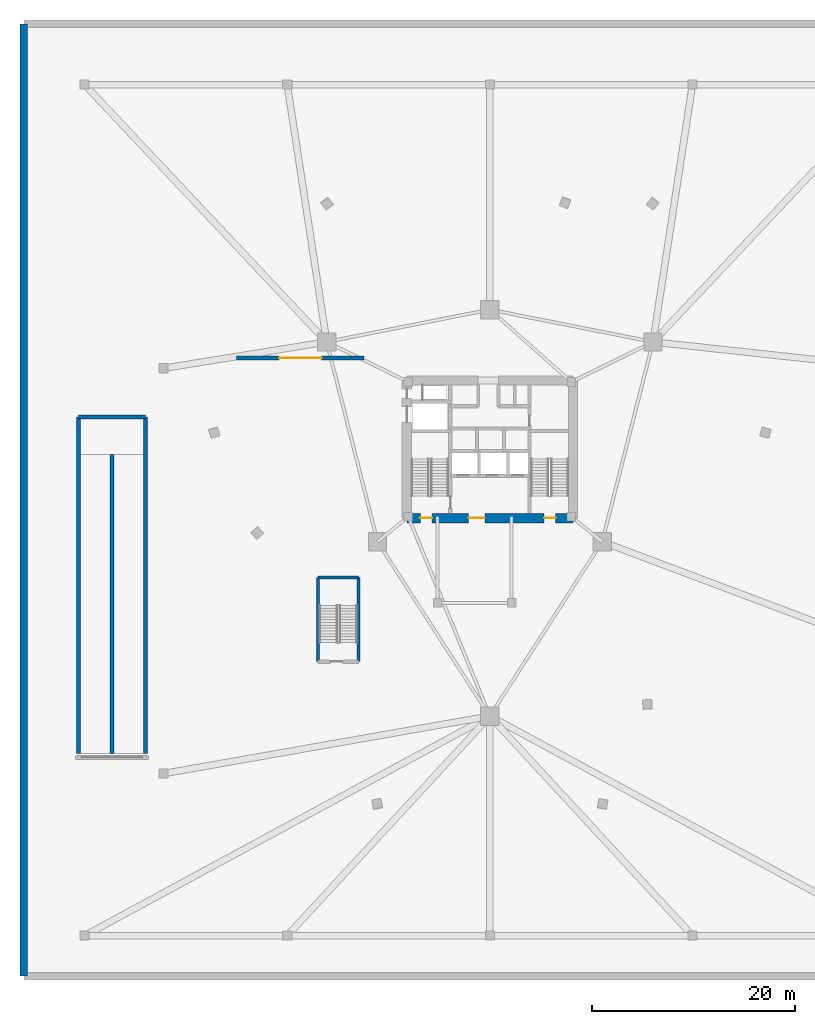
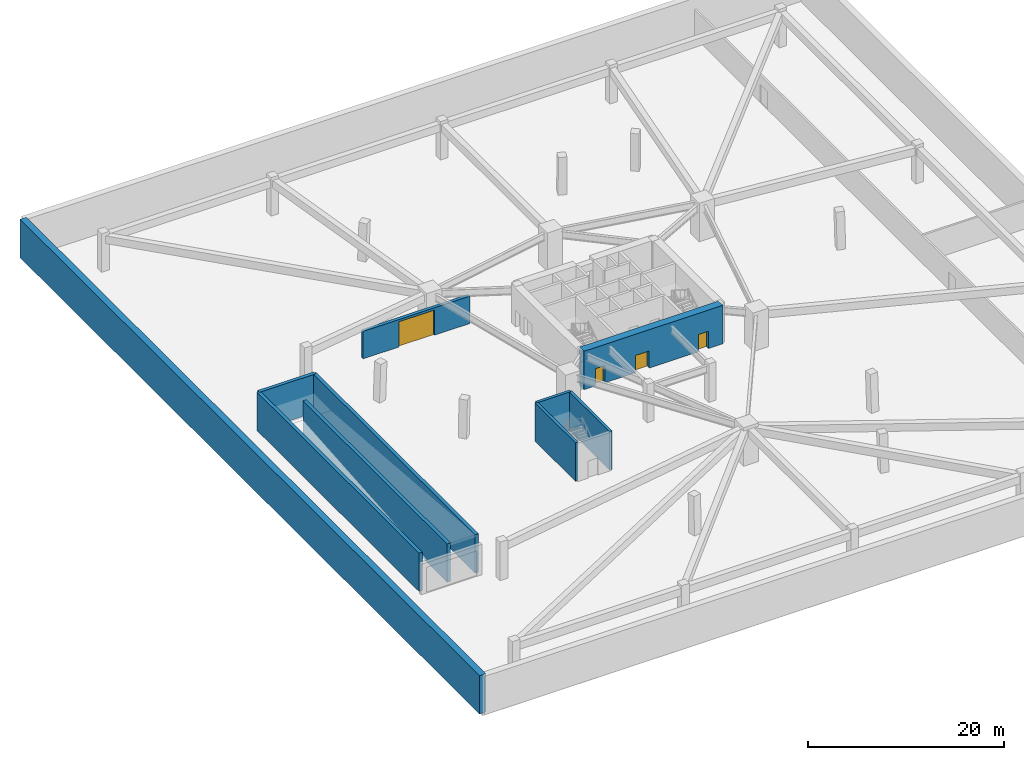
# One storey, part 4 of 7: 10 walls, 4 doors, 4 openings.
"""IFC4 building model written with IfcOpenShell, lengths in metres."""

from ifc_helpers import new_model, si_unit, direction, frame, frame_2d, origin, place, context, subcontext, project, spatial, rectangle, extrude, material, layer, layer_set, type_object, element, fill, save


model = new_model("IFC4")

# Units and contexts
model_context = context("Model", 3, precision=1e-05, world=origin(), true_north=direction((0.0, 1.0)))
body_context = subcontext(model_context, "Body", "Model", "MODEL_VIEW")
ifc_project = project(units=[si_unit("LENGTHUNIT", "METRE"), si_unit("AREAUNIT", "SQUARE_METRE"), si_unit("VOLUMEUNIT", "CUBIC_METRE"), si_unit("PLANEANGLEUNIT", "RADIAN"), si_unit("MASSUNIT", "GRAM", prefix="KILO")], contexts=[model_context])

# Site, building, storey
site_placement = place(None, origin())
site = spatial("IfcSite", under=ifc_project, at=site_placement, CompositionType="ELEMENT")
building_placement = place(site_placement, origin())
building = spatial("IfcBuilding", under=site, at=building_placement, Name="Talyreon Biosciences Tower", CompositionType="ELEMENT")
storey_placement = place(building_placement, frame((0.0, 0.0, -4.800048828125)))
storey = spatial("IfcBuildingStorey", under=building, at=storey_placement, Name="B1", CompositionType="ELEMENT", Elevation=-4.800048828125)

# Walls
ifc_material_1 = material(Name="Concrete C50/60", Category="concrete")
ifc_layer_1 = layer(ifc_material_1, 0.75)
ifc_layer_set_1 = layer_set([ifc_layer_1], Name="Concrete C50/60")
wall_type_1 = type_object("IfcWallType", Name="BasementRetainingWall_750", PredefinedType="SOLIDWALL", material=ifc_layer_set_1)
wall_1_placement = place(storey_placement, frame((20.0, 110.0, 0.0), z_axis=(0.0, 0.0, 1.0), x_axis=(0.0, -1.0, 0.0)))
element("IfcWall", 1, at=wall_1_placement, inside=storey, type_object=wall_type_1, Name="B1 Watertight Retaining Wall W", PredefinedType="SOLIDWALL", context=body_context, shape_type="SweptSolid", body=[
    extrude(rectangle(XDim=94.0, YDim=0.75, at=frame_2d((47.0, 0.0))), origin(), (0.0, 0.0, 1.0), 4.800048828125),
])
ifc_layer_2 = layer(ifc_material_1, 0.320068359375)
ifc_layer_set_2 = layer_set([ifc_layer_2], Name="Concrete C50/60")
wall_type_2 = type_object("IfcWallType", Name="CoreShearWall_320", PredefinedType="SHEAR", material=ifc_layer_set_2)
for number, where, z_axis, x_axis, name in (
    (2, (49.0400390625, 47.0400390625, 0.0), (0.0, 0.0, 1.0), (0.0, 1.0, 0.0), "B1 Stair ST-3 Structural Wall W"),
    (3, (53.0400390625, 47.0400390625, 0.0), (0.0, 0.0, 1.0), (0.0, 1.0, 0.0), "B1 Stair ST-3 Structural Wall E"),
):
    element("IfcWall", number, at=place(storey_placement, frame(where, z_axis=z_axis, x_axis=x_axis)), inside=storey, type_object=wall_type_2, Name=name, PredefinedType="SHEAR", context=body_context, shape_type="SweptSolid", body=[
        extrude(rectangle(XDim=8.320068359375, YDim=0.320068359375, at=frame_2d((4.16015625, 0.0))), origin(), (0.0, 0.0, 1.0), 4.800048828125),
    ])
wall_2_placement = place(storey_placement, frame((49.0400390625, 55.360107421875, 0.0), z_axis=(0.0, 0.0, 1.0), x_axis=(1.0, 0.0, 0.0)))
element("IfcWall", 4, at=wall_2_placement, inside=storey, type_object=wall_type_2, Name="B1 Stair ST-3 Structural Wall N", PredefinedType="SHEAR", context=body_context, shape_type="SweptSolid", body=[
    extrude(rectangle(XDim=4.0, YDim=0.320068359375, at=frame_2d((2.0, 0.0))), origin(), (0.0, 0.0, 1.0), 4.800048828125),
])
ifc_layer_3 = layer(ifc_material_1, 0.39990234375)
ifc_layer_set_3 = layer_set([ifc_layer_3], Name="Concrete C50/60")
wall_type_3 = type_object("IfcWallType", Name="CoreShearWall_400", PredefinedType="SHEAR", material=ifc_layer_set_3)
for number, where, z_axis, x_axis, name in (
    (5, (25.39990234375, 38.0, 0.0), (0.0, 0.0, 1.0), (0.0, 1.0, 0.0), "B1 Vehicle Ramp Bearing Wall W"),
    (6, (32.0, 38.0, 0.0), (0.0, 0.0, 1.0), (0.0, 1.0, 0.0), "B1 Vehicle Ramp Bearing Wall E"),
):
    element("IfcWall", number, at=place(storey_placement, frame(where, z_axis=z_axis, x_axis=x_axis)), inside=storey, type_object=wall_type_3, Name=name, PredefinedType="SHEAR", context=body_context, shape_type="SweptSolid", body=[
        extrude(rectangle(XDim=33.199951171875, YDim=0.39990234375, at=frame_2d((16.60009765625, 0.0))), origin(), (0.0, 0.0, 1.0), 4.800048828125),
    ])
wall_3_placement = place(storey_placement, frame((25.39990234375, 71.199951171875, 0.0), z_axis=(0.0, 0.0, 1.0), x_axis=(1.0, 0.0, 0.0)))
element("IfcWall", 7, at=wall_3_placement, inside=storey, type_object=wall_type_3, Name="B1 Vehicle Ramp Bearing Wall N", PredefinedType="SHEAR", context=body_context, shape_type="SweptSolid", body=[
    extrude(rectangle(XDim=6.60009765625, YDim=0.39990234375, at=frame_2d((3.300048828125, 0.0))), origin(), (0.0, 0.0, 1.0), 4.800048828125),
])
wall_4_placement = place(storey_placement, frame((28.699951171875, 38.0, 0.0), z_axis=(0.0, 0.0, 1.0), x_axis=(0.0, 1.0, 0.0)))
element("IfcWall", 8, at=wall_4_placement, inside=storey, type_object=wall_type_3, Name="B1 Vehicle Ramp Bearing Wall M", PredefinedType="SHEAR", context=body_context, shape_type="SweptSolid", body=[
    extrude(rectangle(XDim=29.5, YDim=0.39990234375, at=frame_2d((14.75, 0.0))), origin(), (0.0, 0.0, 1.0), 4.800048828125),
])

# Wall, openings, doors
ifc_material_2 = material(Name="Concrete C60/75", Category="concrete")
ifc_layer_4 = layer(ifc_material_2, 0.89990234375)
ifc_layer_set_4 = layer_set([ifc_layer_4], Name="Concrete C60/75")
wall_type_4 = type_object("IfcWallType", Name="CoreShearWall_900", PredefinedType="SHEAR", material=ifc_layer_set_4)
wall_5_placement = place(storey_placement, frame((57.800048828125, 61.199951171875, 0.0), z_axis=(0.0, 0.0, 1.0), x_axis=(1.0, 0.0, 0.0)))
wall_5 = element("IfcWall", 9, at=wall_5_placement, inside=storey, type_object=wall_type_4, Name="B1 Core Shear Wall S", PredefinedType="SHEAR", context=body_context, shape_type="SweptSolid", body=[
    extrude(rectangle(XDim=16.39990234375, YDim=0.89990234375, at=frame_2d((8.199951171875, 0.0))), origin(), (0.0, 0.0, 1.0), 4.800048828125),
])
opening_1_placement = place(wall_5_placement, frame((1.35009765625, 0.0, 0.0)))
opening_1 = element("IfcOpeningElement", 10, at=opening_1_placement, cuts=wall_5, Name="Opening DR-B1-ST1", PredefinedType="OPENING", context=body_context, shape_type="SweptSolid", body=[
    extrude(rectangle(XDim=1.14990234375, YDim=2.14990234375, at=frame_2d((0.574951171875, 1.074951171875))), frame((0.0, 0.4599609375, 0.0), z_axis=(0.0, -1.0, 0.0), x_axis=(1.0, 0.0, 0.0)), (0.0, 0.0, 1.0), 0.919921875),
])
opening_2_placement = place(wall_5_placement, frame((6.10009765625, 0.0, 0.0)))
opening_2 = element("IfcOpeningElement", 11, at=opening_2_placement, cuts=wall_5, Name="Opening DR-B1-FFL", PredefinedType="OPENING", context=body_context, shape_type="SweptSolid", body=[
    extrude(rectangle(XDim=1.60009765625, YDim=2.14990234375, at=frame_2d((0.800048828125, 1.074951171875))), frame((0.0, 0.4599609375, 0.0), z_axis=(0.0, -1.0, 0.0), x_axis=(1.0, 0.0, 0.0)), (0.0, 0.0, 1.0), 0.919921875),
])
opening_3_placement = place(wall_5_placement, frame((13.550048828125, 0.0, 0.0)))
opening_3 = element("IfcOpeningElement", 12, at=opening_3_placement, cuts=wall_5, Name="Opening DR-B1-ST2", PredefinedType="OPENING", context=body_context, shape_type="SweptSolid", body=[
    extrude(rectangle(XDim=1.14990234375, YDim=2.14990234375, at=frame_2d((0.574951171875, 1.074951171875))), frame((0.0, 0.4599609375, 0.0), z_axis=(0.0, -1.0, 0.0), x_axis=(1.0, 0.0, 0.0)), (0.0, 0.0, 1.0), 0.919921875),
])
ifc_material_3 = material(Name="Painted steel smoke-seal fire door", Category="steel")
door_type_1 = type_object("IfcDoorType", Name="FirefightingLobbyDoubleDoor_1600x2150", OperationType="DOUBLE_DOOR_SINGLE_SWING", PredefinedType="DOOR", material=ifc_material_3)
door_1_placement = place(opening_2_placement, origin())
door_1 = element("IfcDoor", 13, at=door_1_placement, inside=storey, type_object=door_type_1, Name="B1 Core Door DR-B1-FFL", OperationType="DOUBLE_DOOR_SINGLE_SWING", OverallHeight=2.14990234375, OverallWidth=1.60009765625, PredefinedType="DOOR", context=body_context, shape_type="SweptSolid", body=[
    extrude(rectangle(XDim=1.60009765625, YDim=2.14990234375, at=frame_2d((0.800048828125, 1.074951171875))), frame((0.0, 0.02490234375, 0.0), z_axis=(0.0, -1.0, 0.0), x_axis=(1.0, 0.0, 0.0)), (0.0, 0.0, 1.0), 0.050048828125),
])
fill(opening_2, door_1)
ifc_material_4 = material(Name="Painted steel fire door", Category="steel")
door_type_2 = type_object("IfcDoorType", Name="StairShaftFireDoor_1150x2150", OperationType="NOTDEFINED", PredefinedType="DOOR", material=ifc_material_4)
door_2_placement = place(opening_1_placement, origin())
door_2 = element("IfcDoor", 14, at=door_2_placement, inside=storey, type_object=door_type_2, Name="B1 Core Door DR-B1-ST1", OperationType="SINGLE_SWING_LEFT", OverallHeight=2.14990234375, OverallWidth=1.14990234375, PredefinedType="DOOR", context=body_context, shape_type="SweptSolid", body=[
    extrude(rectangle(XDim=1.14990234375, YDim=2.14990234375, at=frame_2d((0.574951171875, 1.074951171875))), frame((0.0, 0.02490234375, 0.0), z_axis=(0.0, -1.0, 0.0), x_axis=(1.0, 0.0, 0.0)), (0.0, 0.0, 1.0), 0.050048828125),
])
fill(opening_1, door_2)
door_3_placement = place(opening_3_placement, origin())
door_3 = element("IfcDoor", 15, at=door_3_placement, inside=storey, type_object=door_type_2, Name="B1 Core Door DR-B1-ST2", OperationType="SINGLE_SWING_RIGHT", OverallHeight=2.14990234375, OverallWidth=1.14990234375, PredefinedType="DOOR", context=body_context, shape_type="SweptSolid", body=[
    extrude(rectangle(XDim=1.14990234375, YDim=2.14990234375, at=frame_2d((0.574951171875, 1.074951171875))), frame((0.0, 0.02490234375, 0.0), z_axis=(0.0, -1.0, 0.0), x_axis=(1.0, 0.0, 0.0)), (0.0, 0.0, 1.0), 0.050048828125),
])
fill(opening_3, door_3)

# Wall, opening, door
ifc_material_5 = material(Name="Precast concrete C45/55", Category="concrete")
ifc_layer_5 = layer(ifc_material_5, 0.3798828125)
ifc_layer_set_5 = layer_set([ifc_layer_5], Name="Precast concrete C45/55")
wall_type_5 = type_object("IfcWallType", Name="PrecastConcretePodiumWall_380", PredefinedType="STANDARD", material=ifc_layer_set_5)
wall_6_placement = place(storey_placement, frame((53.60009765625, 77.0, 0.0), z_axis=(0.0, 0.0, 1.0), x_axis=(-1.0, 0.0, 0.0)))
wall_6 = element("IfcWall", 16, at=wall_6_placement, inside=storey, type_object=wall_type_5, Name="B1 Vehicle Ramp Portal Wall VG-B1-02", PredefinedType="STANDARD", context=body_context, shape_type="SweptSolid", body=[
    extrude(rectangle(XDim=12.60009765625, YDim=0.3798828125, at=frame_2d((6.300048828125, 0.0))), origin(), (0.0, 0.0, 1.0), 3.429931640625),
])
opening_4_placement = place(wall_6_placement, frame((4.199951171875, 0.0, 0.0)))
opening_4 = element("IfcOpeningElement", 17, at=opening_4_placement, cuts=wall_6, Name="Opening VG-B1-02", PredefinedType="OPENING", context=body_context, shape_type="SweptSolid", body=[
    extrude(rectangle(XDim=4.199951171875, YDim=3.14990234375, at=frame_2d((2.10009765625, 1.574951171875))), frame((0.0, 0.199951171875, 0.0), z_axis=(0.0, -1.0, 0.0), x_axis=(1.0, 0.0, 0.0)), (0.0, 0.0, 1.0), 0.39990234375),
])
ifc_material_6 = material(Name="Motorised insulated steel loading shutter gate", Category="steel")
door_type_3 = type_object("IfcDoorType", Name="LoadingBayShutterGate_4200x3150", OperationType="ROLLINGUP", PredefinedType="GATE", material=ifc_material_6)
door_4_placement = place(opening_4_placement, origin())
door_4 = element("IfcDoor", 18, at=door_4_placement, inside=storey, type_object=door_type_3, Name="B1 Roller Shutter Gate VG-B1-02", OperationType="ROLLINGUP", OverallHeight=3.14990234375, OverallWidth=4.199951171875, PredefinedType="GATE", context=body_context, shape_type="SweptSolid", body=[
    extrude(rectangle(XDim=4.199951171875, YDim=3.14990234375, at=frame_2d((2.10009765625, 1.574951171875))), frame((0.0, 0.02490234375, 0.0), z_axis=(0.0, -1.0, 0.0), x_axis=(1.0, 0.0, 0.0)), (0.0, 0.0, 1.0), 0.050048828125),
])
fill(opening_4, door_4)

save(model, "model.ifc")
